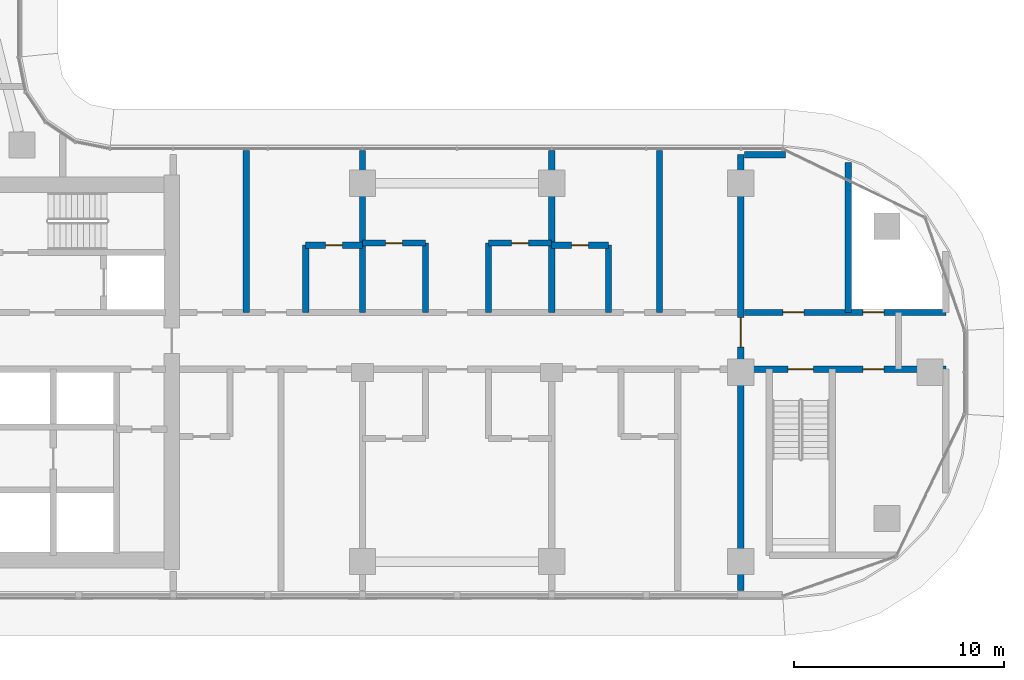
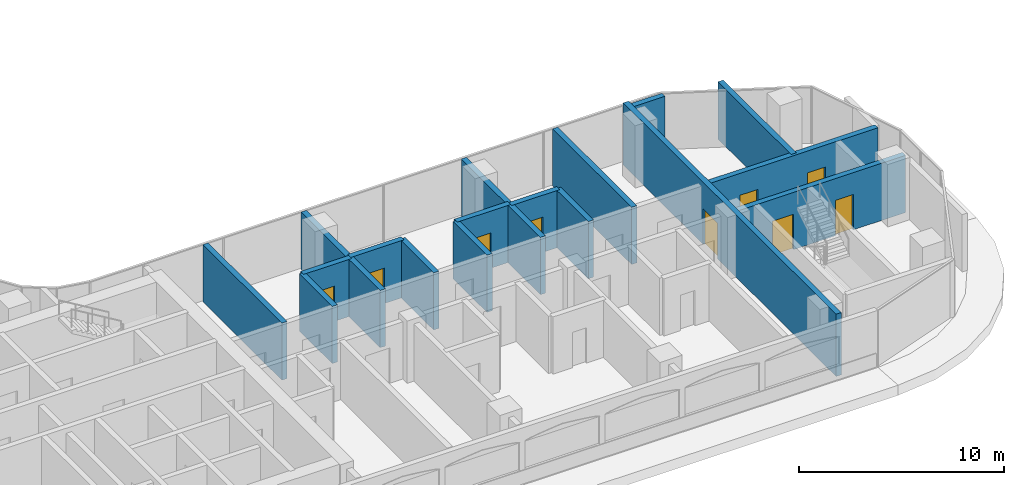
# One storey, part 12 of 25: 17 walls, 9 doors, 9 openings.
"""IFC4 building model written with IfcOpenShell, lengths in metres."""

from ifc_helpers import new_model, si_unit, direction, frame, frame_2d, origin, place, context, subcontext, project, spatial, rectangle, extrude, material, layer, layer_set, type_object, element, fill, save


model = new_model("IFC4")

# Units and contexts
model_context = context("Model", 3, precision=1e-05, world=origin(), true_north=direction((0.0, 1.0)))
body_context = subcontext(model_context, "Body", "Model", "MODEL_VIEW")
ifc_project = project(units=[si_unit("LENGTHUNIT", "METRE"), si_unit("AREAUNIT", "SQUARE_METRE"), si_unit("VOLUMEUNIT", "CUBIC_METRE"), si_unit("PLANEANGLEUNIT", "RADIAN"), si_unit("MASSUNIT", "GRAM", prefix="KILO")], contexts=[model_context])

# Site, building, storey
site_placement = place(None, origin())
site = spatial("IfcSite", under=ifc_project, at=site_placement, CompositionType="ELEMENT")
building_placement = place(site_placement, origin())
building = spatial("IfcBuilding", under=site, at=building_placement, Name="Ogive Portal Towers", CompositionType="ELEMENT")
storey_placement = place(building_placement, frame((0.0, 0.0, 124.10009765625)))
storey = spatial("IfcBuildingStorey", under=building, at=storey_placement, Name="L30", CompositionType="ELEMENT", Elevation=124.10009765625)

# Wall, opening, door
ifc_material_1 = material(Name="Concrete C60/75", Category="concrete")
ifc_layer_1 = layer(ifc_material_1, 0.300048828125)
ifc_layer_set_1 = layer_set([ifc_layer_1], Name="REVEAL WALL 300 C60")
wall_type_1 = type_object("IfcWallType", Name="REVEAL WALL 300 C60", PredefinedType="SHEAR", material=ifc_layer_set_1)
wall_1_placement = place(storey_placement, frame((85.5, 20.135009765625, 0.0), z_axis=(0.0, 0.0, 1.0), x_axis=(0.0, 1.0, 0.0)))
wall_1 = element("IfcWall", 1, at=wall_1_placement, inside=storey, type_object=wall_type_1, Name="Portal reveal wall L30", PredefinedType="SHEAR", context=body_context, shape_type="SweptSolid", body=[
    extrude(rectangle(XDim=20.72998046875, YDim=0.300048828125, at=frame_2d((10.364990234375, 0.0))), origin(), (0.0, 0.0, 1.0), 3.699951171875),
])
opening_1_placement = place(wall_1_placement, frame((11.56494140625, 0.0, 0.0)))
opening_1 = element("IfcOpeningElement", 2, at=opening_1_placement, cuts=wall_1, Name="Opening D11-066", PredefinedType="OPENING", context=body_context, shape_type="SweptSolid", body=[
    extrude(rectangle(XDim=1.39990234375, YDim=2.10009765625, at=frame_2d((0.699951171875, 1.050048828125))), frame((0.0, 0.16015625, 0.0), z_axis=(0.0, -1.0, 0.0), x_axis=(1.0, 0.0, 0.0)), (0.0, 0.0, 1.0), 0.320068359375),
])
ifc_material_2 = material(Name="Steel fire door", Category="steel")
door_type_1 = type_object("IfcDoorType", Name="DT-STAIR-1400x2100-FD90S", OperationType="SINGLE_SWING_LEFT", PredefinedType="DOOR", material=ifc_material_2)
door_1_placement = place(opening_1_placement, origin())
door_1 = element("IfcDoor", 3, at=door_1_placement, inside=storey, type_object=door_type_1, Name="Door D11-066", OperationType="SINGLE_SWING_RIGHT", OverallHeight=2.10009765625, OverallWidth=1.39990234375, PredefinedType="DOOR", context=body_context, shape_type="SweptSolid", body=[
    extrude(rectangle(XDim=1.39990234375, YDim=2.10009765625, at=frame_2d((0.699951171875, 1.050048828125))), frame((0.0, 0.02490234375, 0.0), z_axis=(0.0, -1.0, 0.0), x_axis=(1.0, 0.0, 0.0)), (0.0, 0.0, 1.0), 0.050048828125),
])
fill(opening_1, door_1)

# Wall, openings, doors
ifc_material_3 = material(Name="Concrete C50/60", Category="concrete")
ifc_layer_2 = layer(ifc_material_3, 0.300048828125)
ifc_layer_set_2 = layer_set([ifc_layer_2], Name="STAIR WALL 300 C50")
wall_type_2 = type_object("IfcWallType", Name="STAIR WALL 300 C50", PredefinedType="SHEAR", material=ifc_layer_set_2)
wall_2_placement = place(storey_placement, frame((85.669921875, 30.64990234375, 0.0), z_axis=(0.0, 0.0, 1.0), x_axis=(1.0, 0.0, 0.0)))
wall_2 = element("IfcWall", 4, at=wall_2_placement, inside=storey, type_object=wall_type_2, Name="Stair wall ST-A4 L30", PredefinedType="SHEAR", context=body_context, shape_type="SweptSolid", body=[
    extrude(rectangle(XDim=9.580078125, YDim=0.300048828125, at=frame_2d((4.7900390625, 0.0))), origin(), (0.0, 0.0, 1.0), 3.39990234375),
])
opening_2_placement = place(wall_2_placement, frame((2.080078125, 0.0, 0.0)))
opening_2 = element("IfcOpeningElement", 5, at=opening_2_placement, cuts=wall_2, Name="Opening D11-061", PredefinedType="OPENING", context=body_context, shape_type="SweptSolid", body=[
    extrude(rectangle(XDim=1.199951171875, YDim=2.10009765625, at=frame_2d((0.60009765625, 1.050048828125))), frame((0.0, 0.16015625, 0.0), z_axis=(0.0, -1.0, 0.0), x_axis=(1.0, 0.0, 0.0)), (0.0, 0.0, 1.0), 0.320068359375),
])
opening_3_placement = place(wall_2_placement, frame((5.6298828125, 0.0, 0.0)))
opening_3 = element("IfcOpeningElement", 6, at=opening_3_placement, cuts=wall_2, Name="Opening D11-064", PredefinedType="OPENING", context=body_context, shape_type="SweptSolid", body=[
    extrude(rectangle(XDim=1.0, YDim=2.10009765625, at=frame_2d((0.5, 1.050048828125))), frame((0.0, 0.16015625, 0.0), z_axis=(0.0, -1.0, 0.0), x_axis=(1.0, 0.0, 0.0)), (0.0, 0.0, 1.0), 0.320068359375),
])
door_type_2 = type_object("IfcDoorType", Name="DT-SERVICE-1000x2100-FD90S", OperationType="SINGLE_SWING_LEFT", PredefinedType="DOOR", material=ifc_material_2)
door_2_placement = place(opening_3_placement, origin())
door_2 = element("IfcDoor", 7, at=door_2_placement, inside=storey, type_object=door_type_2, Name="Door D11-064", OperationType="SINGLE_SWING_LEFT", OverallHeight=2.10009765625, OverallWidth=1.0, PredefinedType="DOOR", context=body_context, shape_type="SweptSolid", body=[
    extrude(rectangle(XDim=1.0, YDim=2.10009765625, at=frame_2d((0.5, 1.050048828125))), frame((0.0, 0.02490234375, 0.0), z_axis=(0.0, -1.0, 0.0), x_axis=(1.0, 0.0, 0.0)), (0.0, 0.0, 1.0), 0.050048828125),
])
fill(opening_3, door_2)
door_type_3 = type_object("IfcDoorType", Name="DT-STAIR-1200x2100-FD90S", OperationType="SINGLE_SWING_LEFT", PredefinedType="DOOR", material=ifc_material_2)
door_3_placement = place(opening_2_placement, origin())
door_3 = element("IfcDoor", 8, at=door_3_placement, inside=storey, type_object=door_type_3, Name="Door D11-061", OperationType="SINGLE_SWING_LEFT", OverallHeight=2.10009765625, OverallWidth=1.199951171875, PredefinedType="DOOR", context=body_context, shape_type="SweptSolid", body=[
    extrude(rectangle(XDim=1.199951171875, YDim=2.10009765625, at=frame_2d((0.60009765625, 1.050048828125))), frame((0.0, 0.02490234375, 0.0), z_axis=(0.0, -1.0, 0.0), x_axis=(1.0, 0.0, 0.0)), (0.0, 0.0, 1.0), 0.050048828125),
])
fill(opening_2, door_3)

ifc_material_4 = material(Name="Gypsum board partition on steel studs", Category="steel")
ifc_layer_3 = layer(ifc_material_4, 0.300048828125)
ifc_layer_set_3 = layer_set([ifc_layer_3], Name="WT-PART-300-EI 120")
wall_type_3 = type_object("IfcWallType", Name="WT-PART-300-EI 120", PredefinedType="PARTITIONING", material=ifc_layer_set_3)
wall_3_placement = place(storey_placement, frame((85.669921875, 33.35009765625, 0.0), z_axis=(0.0, 0.0, 1.0), x_axis=(1.0, 0.0, 0.0)))
wall_3 = element("IfcWall", 9, at=wall_3_placement, inside=storey, type_object=wall_type_3, Name="Wall L30:w009", PredefinedType="PARTITIONING", context=body_context, shape_type="SweptSolid", body=[
    extrude(rectangle(XDim=9.580078125, YDim=0.300048828125, at=frame_2d((4.7900390625, 0.0))), origin(), (0.0, 0.0, 1.0), 3.39990234375),
])
opening_4_placement = place(wall_3_placement, frame((1.830078125, 0.0, 0.0)))
opening_4 = element("IfcOpeningElement", 10, at=opening_4_placement, cuts=wall_3, Name="Opening D11-062", PredefinedType="OPENING", context=body_context, shape_type="SweptSolid", body=[
    extrude(rectangle(XDim=1.0, YDim=2.10009765625, at=frame_2d((0.5, 1.050048828125))), frame((0.0, 0.16015625, 0.0), z_axis=(0.0, -1.0, 0.0), x_axis=(1.0, 0.0, 0.0)), (0.0, 0.0, 1.0), 0.320068359375),
])
opening_5_placement = place(wall_3_placement, frame((5.6298828125, 0.0, 0.0)))
opening_5 = element("IfcOpeningElement", 11, at=opening_5_placement, cuts=wall_3, Name="Opening D11-063", PredefinedType="OPENING", context=body_context, shape_type="SweptSolid", body=[
    extrude(rectangle(XDim=1.0, YDim=2.10009765625, at=frame_2d((0.5, 1.050048828125))), frame((0.0, 0.16015625, 0.0), z_axis=(0.0, -1.0, 0.0), x_axis=(1.0, 0.0, 0.0)), (0.0, 0.0, 1.0), 0.320068359375),
])
door_4_placement = place(opening_4_placement, origin())
door_4 = element("IfcDoor", 12, at=door_4_placement, inside=storey, type_object=door_type_2, Name="Door D11-062", OperationType="SINGLE_SWING_LEFT", OverallHeight=2.10009765625, OverallWidth=1.0, PredefinedType="DOOR", context=body_context, shape_type="SweptSolid", body=[
    extrude(rectangle(XDim=1.0, YDim=2.10009765625, at=frame_2d((0.5, 1.050048828125))), frame((0.0, 0.02490234375, 0.0), z_axis=(0.0, -1.0, 0.0), x_axis=(1.0, 0.0, 0.0)), (0.0, 0.0, 1.0), 0.050048828125),
])
fill(opening_4, door_4)
door_5_placement = place(opening_5_placement, origin())
door_5 = element("IfcDoor", 13, at=door_5_placement, inside=storey, type_object=door_type_2, Name="Riser access door D11-063", OperationType="SINGLE_SWING_RIGHT", OverallHeight=2.10009765625, OverallWidth=1.0, PredefinedType="DOOR", context=body_context, shape_type="SweptSolid", body=[
    extrude(rectangle(XDim=1.0, YDim=2.10009765625, at=frame_2d((0.5, 1.050048828125))), frame((0.0, 0.02490234375, 0.0), z_axis=(0.0, -1.0, 0.0), x_axis=(1.0, 0.0, 0.0)), (0.0, 0.0, 1.0), 0.050048828125),
])
fill(opening_5, door_5)

# Wall, opening, door
ifc_layer_4 = layer(ifc_material_4, 0.300048828125)
ifc_layer_set_4 = layer_set([ifc_layer_4], Name="WT-PART-300-EI 60")
wall_type_4 = type_object("IfcWallType", Name="WT-PART-300-EI 60", PredefinedType="PARTITIONING", material=ifc_layer_set_4)
wall_4_placement = place(storey_placement, frame((64.800048828125, 36.550048828125, 0.0), z_axis=(0.0, 0.0, 1.0), x_axis=(1.0, 0.0, 0.0)))
wall_4 = element("IfcWall", 14, at=wall_4_placement, inside=storey, type_object=wall_type_4, Name="Wall L30:w010", PredefinedType="PARTITIONING", context=body_context, shape_type="SweptSolid", body=[
    extrude(rectangle(XDim=2.699951171875, YDim=0.300048828125, at=frame_2d((1.35009765625, 0.0))), origin(), (0.0, 0.0, 1.0), 3.39990234375),
])
opening_6_placement = place(wall_4_placement, frame((0.949951171875, 0.0, 0.0)))
opening_6 = element("IfcOpeningElement", 15, at=opening_6_placement, cuts=wall_4, Name="Opening D11-028", PredefinedType="OPENING", context=body_context, shape_type="SweptSolid", body=[
    extrude(rectangle(XDim=0.800048828125, YDim=2.10009765625, at=frame_2d((0.39990234375, 1.050048828125))), frame((0.0, 0.16015625, 0.0), z_axis=(0.0, -1.0, 0.0), x_axis=(1.0, 0.0, 0.0)), (0.0, 0.0, 1.0), 0.320068359375),
])
door_type_4 = type_object("IfcDoorType", Name="DT-BATH-800x2100-FD60S", OperationType="SINGLE_SWING_LEFT", PredefinedType="DOOR", material=ifc_material_2)
door_6_placement = place(opening_6_placement, origin())
door_6 = element("IfcDoor", 16, at=door_6_placement, inside=storey, type_object=door_type_4, Name="Door D11-028", OperationType="SINGLE_SWING_RIGHT", OverallHeight=2.10009765625, OverallWidth=0.800048828125, PredefinedType="DOOR", context=body_context, shape_type="SweptSolid", body=[
    extrude(rectangle(XDim=0.800048828125, YDim=2.10009765625, at=frame_2d((0.39990234375, 1.050048828125))), frame((0.0, 0.02490234375, 0.0), z_axis=(0.0, -1.0, 0.0), x_axis=(1.0, 0.0, 0.0)), (0.0, 0.0, 1.0), 0.050048828125),
])
fill(opening_6, door_6)

wall_5_placement = place(storey_placement, frame((76.5, 36.550048828125, 0.0), z_axis=(0.0, 0.0, 1.0), x_axis=(1.0, 0.0, 0.0)))
wall_5 = element("IfcWall", 17, at=wall_5_placement, inside=storey, type_object=wall_type_4, Name="Wall L30:w011", PredefinedType="PARTITIONING", context=body_context, shape_type="SweptSolid", body=[
    extrude(rectangle(XDim=2.699951171875, YDim=0.300048828125, at=frame_2d((1.35009765625, 0.0))), origin(), (0.0, 0.0, 1.0), 3.39990234375),
])
opening_7_placement = place(wall_5_placement, frame((0.949951171875, 0.0, 0.0)))
opening_7 = element("IfcOpeningElement", 18, at=opening_7_placement, cuts=wall_5, Name="Opening D11-039", PredefinedType="OPENING", context=body_context, shape_type="SweptSolid", body=[
    extrude(rectangle(XDim=0.800048828125, YDim=2.10009765625, at=frame_2d((0.39990234375, 1.050048828125))), frame((0.0, 0.16015625, 0.0), z_axis=(0.0, -1.0, 0.0), x_axis=(1.0, 0.0, 0.0)), (0.0, 0.0, 1.0), 0.320068359375),
])
door_7_placement = place(opening_7_placement, origin())
door_7 = element("IfcDoor", 19, at=door_7_placement, inside=storey, type_object=door_type_4, Name="Door D11-039", OperationType="SINGLE_SWING_LEFT", OverallHeight=2.10009765625, OverallWidth=0.800048828125, PredefinedType="DOOR", context=body_context, shape_type="SweptSolid", body=[
    extrude(rectangle(XDim=0.800048828125, YDim=2.10009765625, at=frame_2d((0.39990234375, 1.050048828125))), frame((0.0, 0.02490234375, 0.0), z_axis=(0.0, -1.0, 0.0), x_axis=(1.0, 0.0, 0.0)), (0.0, 0.0, 1.0), 0.050048828125),
])
fill(opening_7, door_7)

wall_6_placement = place(storey_placement, frame((67.5, 36.64990234375, 0.0), z_axis=(0.0, 0.0, 1.0), x_axis=(1.0, 0.0, 0.0)))
wall_6 = element("IfcWall", 20, at=wall_6_placement, inside=storey, type_object=wall_type_4, Name="Wall L30:w012", PredefinedType="PARTITIONING", context=body_context, shape_type="SweptSolid", body=[
    extrude(rectangle(XDim=3.0, YDim=0.300048828125, at=frame_2d((1.5, 0.0))), origin(), (0.0, 0.0, 1.0), 3.39990234375),
])
opening_8_placement = place(wall_6_placement, frame((1.10009765625, 0.0, 0.0)))
opening_8 = element("IfcOpeningElement", 21, at=opening_8_placement, cuts=wall_6, Name="Opening D11-033", PredefinedType="OPENING", context=body_context, shape_type="SweptSolid", body=[
    extrude(rectangle(XDim=0.800048828125, YDim=2.10009765625, at=frame_2d((0.39990234375, 1.050048828125))), frame((0.0, 0.16015625, 0.0), z_axis=(0.0, -1.0, 0.0), x_axis=(1.0, 0.0, 0.0)), (0.0, 0.0, 1.0), 0.320068359375),
])
door_8_placement = place(opening_8_placement, origin())
door_8 = element("IfcDoor", 22, at=door_8_placement, inside=storey, type_object=door_type_4, Name="Door D11-033", OperationType="SINGLE_SWING_LEFT", OverallHeight=2.10009765625, OverallWidth=0.800048828125, PredefinedType="DOOR", context=body_context, shape_type="SweptSolid", body=[
    extrude(rectangle(XDim=0.800048828125, YDim=2.10009765625, at=frame_2d((0.39990234375, 1.050048828125))), frame((0.0, 0.02490234375, 0.0), z_axis=(0.0, -1.0, 0.0), x_axis=(1.0, 0.0, 0.0)), (0.0, 0.0, 1.0), 0.050048828125),
])
fill(opening_8, door_8)

wall_7_placement = place(storey_placement, frame((73.5, 36.64990234375, 0.0), z_axis=(0.0, 0.0, 1.0), x_axis=(1.0, 0.0, 0.0)))
wall_7 = element("IfcWall", 23, at=wall_7_placement, inside=storey, type_object=wall_type_4, Name="Wall L30:w013", PredefinedType="PARTITIONING", context=body_context, shape_type="SweptSolid", body=[
    extrude(rectangle(XDim=3.0, YDim=0.300048828125, at=frame_2d((1.5, 0.0))), origin(), (0.0, 0.0, 1.0), 3.39990234375),
])
opening_9_placement = place(wall_7_placement, frame((1.10009765625, 0.0, 0.0)))
opening_9 = element("IfcOpeningElement", 24, at=opening_9_placement, cuts=wall_7, Name="Opening D11-034", PredefinedType="OPENING", context=body_context, shape_type="SweptSolid", body=[
    extrude(rectangle(XDim=0.800048828125, YDim=2.10009765625, at=frame_2d((0.39990234375, 1.050048828125))), frame((0.0, 0.16015625, 0.0), z_axis=(0.0, -1.0, 0.0), x_axis=(1.0, 0.0, 0.0)), (0.0, 0.0, 1.0), 0.320068359375),
])
door_9_placement = place(opening_9_placement, origin())
door_9 = element("IfcDoor", 25, at=door_9_placement, inside=storey, type_object=door_type_4, Name="Door D11-034", OperationType="SINGLE_SWING_RIGHT", OverallHeight=2.10009765625, OverallWidth=0.800048828125, PredefinedType="DOOR", context=body_context, shape_type="SweptSolid", body=[
    extrude(rectangle(XDim=0.800048828125, YDim=2.10009765625, at=frame_2d((0.39990234375, 1.050048828125))), frame((0.0, 0.02490234375, 0.0), z_axis=(0.0, -1.0, 0.0), x_axis=(1.0, 0.0, 0.0)), (0.0, 0.0, 1.0), 0.050048828125),
])
fill(opening_9, door_9)

# Walls
wall_8_placement = place(storey_placement, frame((85.669921875, 40.85009765625, 0.0), z_axis=(0.0, 0.0, 1.0), x_axis=(1.0, 0.0, 0.0)))
element("IfcWall", 26, at=wall_8_placement, inside=storey, type_object=wall_type_4, Name="Wall L30:w015", PredefinedType="PARTITIONING", context=body_context, shape_type="SweptSolid", body=[
    extrude(rectangle(XDim=1.943115234375, YDim=0.300048828125, at=frame_2d((0.9716796875, 0.0))), origin(), (0.0, 0.0, 1.0), 3.39990234375),
])
wall_9_placement = place(storey_placement, frame((61.969970703125, 33.35009765625, 0.0), z_axis=(0.0, 0.0, 1.0), x_axis=(0.0, 1.0, 0.0)))
element("IfcWall", 27, at=wall_9_placement, inside=storey, type_object=wall_type_4, Name="Wall L30:w047", PredefinedType="PARTITIONING", context=body_context, shape_type="SweptSolid", body=[
    extrude(rectangle(XDim=7.69482421875, YDim=0.300048828125, at=frame_2d((3.847412109375, 0.0))), origin(), (0.0, 0.0, 1.0), 3.39990234375),
])
wall_10_placement = place(storey_placement, frame((64.800048828125, 33.35009765625, 0.0), z_axis=(0.0, 0.0, 1.0), x_axis=(0.0, 1.0, 0.0)))
element("IfcWall", 28, at=wall_10_placement, inside=storey, type_object=wall_type_4, Name="Wall L30:w049", PredefinedType="PARTITIONING", context=body_context, shape_type="SweptSolid", body=[
    extrude(rectangle(XDim=3.199951171875, YDim=0.300048828125, at=frame_2d((1.60009765625, 0.0))), origin(), (0.0, 0.0, 1.0), 3.39990234375),
])
wall_11_placement = place(storey_placement, frame((67.5, 33.35009765625, 0.0), z_axis=(0.0, 0.0, 1.0), x_axis=(0.0, 1.0, 0.0)))
element("IfcWall", 29, at=wall_11_placement, inside=storey, type_object=wall_type_4, Name="Wall L30:w051", PredefinedType="PARTITIONING", context=body_context, shape_type="SweptSolid", body=[
    extrude(rectangle(XDim=7.69482421875, YDim=0.300048828125, at=frame_2d((3.847412109375, 0.0))), origin(), (0.0, 0.0, 1.0), 3.39990234375),
])
for number, where, z_axis, x_axis, name in (
    (30, (70.5, 33.35009765625, 0.0), (0.0, 0.0, 1.0), (0.0, 1.0, 0.0), "Wall L30:w053"),
    (31, (73.5, 33.35009765625, 0.0), (0.0, 0.0, 1.0), (0.0, 1.0, 0.0), "Wall L30:w055"),
):
    element("IfcWall", number, at=place(storey_placement, frame(where, z_axis=z_axis, x_axis=x_axis)), inside=storey, type_object=wall_type_4, Name=name, PredefinedType="PARTITIONING", context=body_context, shape_type="SweptSolid", body=[
        extrude(rectangle(XDim=3.2998046875, YDim=0.300048828125, at=frame_2d((1.64990234375, 0.0))), origin(), (0.0, 0.0, 1.0), 3.39990234375),
    ])
wall_12_placement = place(storey_placement, frame((76.5, 33.35009765625, 0.0), z_axis=(0.0, 0.0, 1.0), x_axis=(0.0, 1.0, 0.0)))
element("IfcWall", 32, at=wall_12_placement, inside=storey, type_object=wall_type_4, Name="Wall L30:w057", PredefinedType="PARTITIONING", context=body_context, shape_type="SweptSolid", body=[
    extrude(rectangle(XDim=7.69482421875, YDim=0.300048828125, at=frame_2d((3.847412109375, 0.0))), origin(), (0.0, 0.0, 1.0), 3.39990234375),
])
wall_13_placement = place(storey_placement, frame((79.199951171875, 33.35009765625, 0.0), z_axis=(0.0, 0.0, 1.0), x_axis=(0.0, 1.0, 0.0)))
element("IfcWall", 33, at=wall_13_placement, inside=storey, type_object=wall_type_4, Name="Wall L30:w058", PredefinedType="PARTITIONING", context=body_context, shape_type="SweptSolid", body=[
    extrude(rectangle(XDim=3.199951171875, YDim=0.300048828125, at=frame_2d((1.60009765625, 0.0))), origin(), (0.0, 0.0, 1.0), 3.39990234375),
])
wall_14_placement = place(storey_placement, frame((81.6298828125, 33.35009765625, 0.0), z_axis=(0.0, 0.0, 1.0), x_axis=(0.0, 1.0, 0.0)))
element("IfcWall", 34, at=wall_14_placement, inside=storey, type_object=wall_type_4, Name="Wall L30:w060", PredefinedType="PARTITIONING", context=body_context, shape_type="SweptSolid", body=[
    extrude(rectangle(XDim=7.69482421875, YDim=0.300048828125, at=frame_2d((3.847412109375, 0.0))), origin(), (0.0, 0.0, 1.0), 3.39990234375),
])
wall_15_placement = place(storey_placement, frame((90.60009765625, 33.35009765625, 0.0), z_axis=(0.0, 0.0, 1.0), x_axis=(0.0, 1.0, 0.0)))
element("IfcWall", 35, at=wall_15_placement, inside=storey, type_object=wall_type_4, Name="Wall L30:w064", PredefinedType="PARTITIONING", context=body_context, shape_type="SweptSolid", body=[
    extrude(rectangle(XDim=7.1240234375, YDim=0.300048828125, at=frame_2d((3.56201171875, 0.0))), origin(), (0.0, 0.0, 1.0), 3.39990234375),
])

save(model, "model.ifc")
